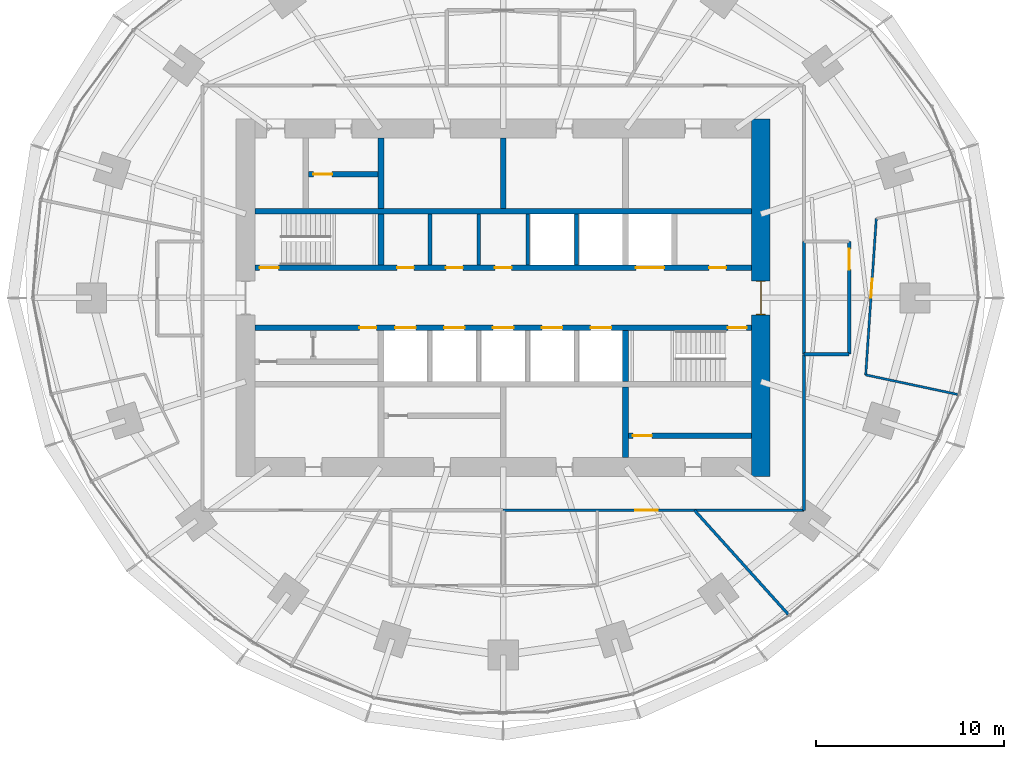
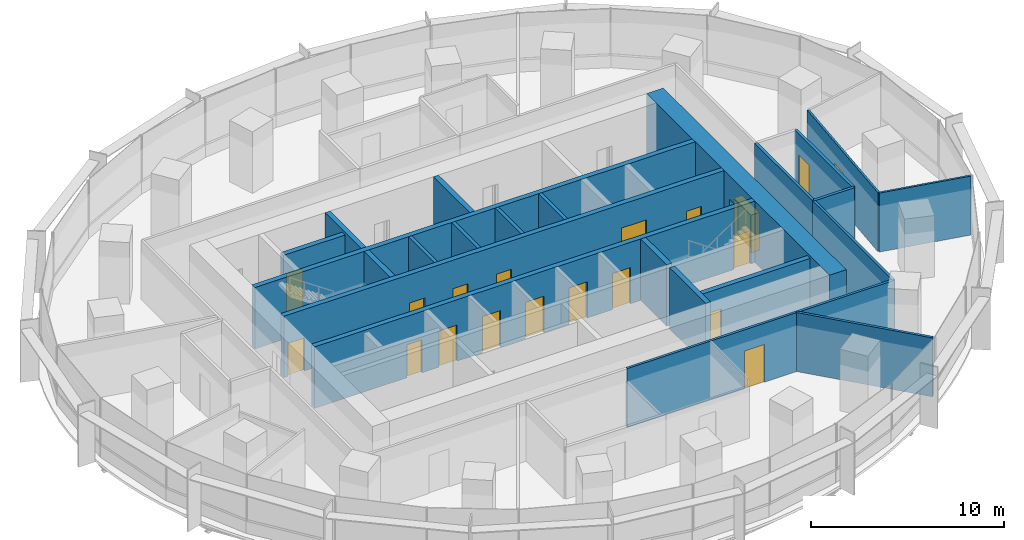
# One storey, part 11 of 14: 23 walls, 19 doors, 19 openings.
"""IFC4 building model written with IfcOpenShell, lengths in metres."""

from ifc_helpers import new_model, si_unit, direction, frame, frame_2d, origin, place, context, subcontext, project, spatial, rectangle, extrude, material, layer, layer_set, type_object, element, fill, save


model = new_model("IFC4")

# Units and contexts
model_context = context("Model", 3, precision=1e-05, world=origin(), true_north=direction((0.0, 1.0)))
body_context = subcontext(model_context, "Body", "Model", "MODEL_VIEW")
ifc_project = project(units=[si_unit("LENGTHUNIT", "METRE"), si_unit("AREAUNIT", "SQUARE_METRE"), si_unit("VOLUMEUNIT", "CUBIC_METRE"), si_unit("PLANEANGLEUNIT", "RADIAN"), si_unit("MASSUNIT", "GRAM", prefix="KILO")], contexts=[model_context])

# Site, building, storey
site_placement = place(None, origin())
site = spatial("IfcSite", under=ifc_project, at=site_placement, CompositionType="ELEMENT")
building_placement = place(site_placement, origin())
building = spatial("IfcBuilding", under=site, at=building_placement, Name="Marramba Exchange Tower", CompositionType="ELEMENT")
storey_placement = place(building_placement, frame((0.0, 0.0, 123.60009765625)))
storey = spatial("IfcBuildingStorey", under=building, at=storey_placement, Name="L29", CompositionType="ELEMENT", Elevation=123.60009765625)

# Walls
ifc_material_1 = material(Name="Plasterboard on staggered double steel studs, acoustic insulation", Category="steel")
ifc_layer_1 = layer(ifc_material_1, 0.169921875)
ifc_layer_set_1 = layer_set([ifc_layer_1], Name="Acoustic partition 170")
wall_type_1 = type_object("IfcWallType", Name="Acoustic partition 170", PredefinedType="PARTITIONING", material=ifc_layer_set_1)
wall_1_placement = place(storey_placement, frame((16.0, -3.0, 0.0), z_axis=(0.0, 0.0, 1.0), x_axis=(1.0, 0.0, 0.0)))
element("IfcWall", 1, at=wall_1_placement, inside=storey, type_object=wall_type_1, Name="Acoustic partition L29 18", PredefinedType="PARTITIONING", context=body_context, shape_type="SweptSolid", body=[
    extrude(rectangle(XDim=2.39990234375, YDim=0.169921875, at=frame_2d((1.199951171875, 0.0))), origin(), (0.0, 0.0, 1.0), 3.739990234375),
])
wall_2_placement = place(storey_placement, frame((16.0, 3.0, 0.0), z_axis=(0.0, 0.0, 1.0), x_axis=(0.0, -1.0, 0.0)))
element("IfcWall", 2, at=wall_2_placement, inside=storey, type_object=wall_type_1, Name="Acoustic partition L29 19", PredefinedType="PARTITIONING", context=body_context, shape_type="SweptSolid", body=[
    extrude(rectangle(XDim=6.0, YDim=0.169921875, at=frame_2d((3.0, 0.0))), origin(), (0.0, 0.0, 1.0), 3.739990234375),
])

# Wall, opening, door
wall_3_placement = place(storey_placement, frame((18.39990234375, -3.0, 0.0), z_axis=(0.0, 0.0, 1.0), x_axis=(0.0, 1.0, 0.0)))
wall_3 = element("IfcWall", 3, at=wall_3_placement, inside=storey, type_object=wall_type_1, Name="Acoustic partition L29 20", PredefinedType="PARTITIONING", context=body_context, shape_type="SweptSolid", body=[
    extrude(rectangle(XDim=6.0, YDim=0.169921875, at=frame_2d((3.0, 0.0))), origin(), (0.0, 0.0, 1.0), 3.739990234375),
])
opening_1_placement = place(wall_3_placement, frame((4.5, 0.0, 0.0)))
opening_1 = element("IfcOpeningElement", 4, at=opening_1_placement, cuts=wall_3, Name="Opening D15", PredefinedType="OPENING", context=body_context, shape_type="SweptSolid", body=[
    extrude(rectangle(XDim=1.10009765625, YDim=2.39990234375, at=frame_2d((0.550048828125, 1.199951171875))), frame((0.0, 0.094970703125, 0.0), z_axis=(0.0, -1.0, 0.0), x_axis=(1.0, 0.0, 0.0)), (0.0, 0.0, 1.0), 0.18994140625),
])
ifc_material_2 = material(Name="Timber door", Category="wood")
door_type_1 = type_object("IfcDoorType", Name="Glazed meeting room door 1100x2400", OperationType="SINGLE_SWING_LEFT", PredefinedType="DOOR", material=ifc_material_2)
door_1_placement = place(opening_1_placement, origin())
door_1 = element("IfcDoor", 5, at=door_1_placement, inside=storey, type_object=door_type_1, Name="D15 Meeting Room 1 L29", OperationType="SINGLE_SWING_RIGHT", OverallHeight=2.39990234375, OverallWidth=1.10009765625, PredefinedType="DOOR", context=body_context, shape_type="SweptSolid", body=[
    extrude(rectangle(XDim=1.10009765625, YDim=2.39990234375, at=frame_2d((0.550048828125, 1.199951171875))), frame((0.0, 0.02490234375, 0.0), z_axis=(0.0, -1.0, 0.0), x_axis=(1.0, 0.0, 0.0)), (0.0, 0.0, 1.0), 0.050048828125),
])
fill(opening_1, door_1)

# Walls
ifc_material_3 = material(Name="Concrete N50", Category="concrete")
ifc_layer_2 = layer(ifc_material_3, 0.199951171875)
ifc_layer_set_2 = layer_set([ifc_layer_2], Name="Core shaft wall 200")
wall_type_2 = type_object("IfcWallType", Name="Core shaft wall 200", PredefinedType="SHEAR", material=ifc_layer_set_2)
for number, where, z_axis, x_axis, name in (
    (6, (-3.89990234375, 1.75, 0.0), (0.0, 0.0, 1.0), (0.0, 1.0, 0.0), "Core wall SHN1 L29"),
    (7, (-1.300048828125, 1.75, 0.0), (0.0, 0.0, 1.0), (0.0, 1.0, 0.0), "Core wall SHN2 L29"),
    (8, (1.300048828125, 1.75, 0.0), (0.0, 0.0, 1.0), (0.0, 1.0, 0.0), "Core wall SHN3 L29"),
    (9, (3.89990234375, 1.75, 0.0), (0.0, 0.0, 1.0), (0.0, 1.0, 0.0), "Core wall SHN4 L29"),
):
    element("IfcWall", number, at=place(storey_placement, frame(where, z_axis=z_axis, x_axis=x_axis)), inside=storey, type_object=wall_type_2, Name=name, PredefinedType="SHEAR", context=body_context, shape_type="SweptSolid", body=[
        extrude(rectangle(XDim=2.699951171875, YDim=0.199951171875, at=frame_2d((1.35009765625, 0.0))), origin(), (0.0, 0.0, 1.0), 3.89990234375),
    ])

# Wall, opening, door
ifc_layer_3 = layer(ifc_material_3, 1.0)
ifc_layer_set_3 = layer_set([ifc_layer_3], Name="Core wall 1000")
wall_type_3 = type_object("IfcWallType", Name="Core wall 1000", PredefinedType="SHEAR", material=ifc_layer_set_3)
wall_4_placement = place(storey_placement, frame((13.699951171875, -9.5, 0.0), z_axis=(0.0, 0.0, 1.0), x_axis=(0.0, 1.0, 0.0)))
wall_4 = element("IfcWall", 10, at=wall_4_placement, inside=storey, type_object=wall_type_3, Name="Core wall E L29", PredefinedType="SHEAR", context=body_context, shape_type="SweptSolid", body=[
    extrude(rectangle(XDim=19.0, YDim=1.0, at=frame_2d((9.5, 0.0))), origin(), (0.0, 0.0, 1.0), 3.89990234375),
])
opening_2_placement = place(wall_4_placement, frame((8.60009765625, 0.0, 0.0)))
opening_2 = element("IfcOpeningElement", 11, at=opening_2_placement, cuts=wall_4, Name="Opening D1", PredefinedType="OPENING", context=body_context, shape_type="SweptSolid", body=[
    extrude(rectangle(XDim=1.800048828125, YDim=2.39990234375, at=frame_2d((0.89990234375, 1.199951171875))), frame((0.0, 0.510009765625, 0.0), z_axis=(0.0, -1.0, 0.0), x_axis=(1.0, 0.0, 0.0)), (0.0, 0.0, 1.0), 1.02001953125),
])
ifc_material_4 = material(Name="Steel-framed door", Category="steel")
door_type_2 = type_object("IfcDoorType", Name="Lobby exit door 1800x2400", OperationType="DOUBLE_DOOR_SINGLE_SWING", PredefinedType="DOOR", material=ifc_material_4)
door_2_placement = place(opening_2_placement, origin())
door_2 = element("IfcDoor", 12, at=door_2_placement, inside=storey, type_object=door_type_2, Name="D1 lobby exit east L29", OperationType="DOUBLE_DOOR_SINGLE_SWING", OverallHeight=2.39990234375, OverallWidth=1.800048828125, PredefinedType="DOOR", context=body_context, shape_type="SweptSolid", body=[
    extrude(rectangle(XDim=1.719970703125, YDim=2.35986328125, at=frame_2d((0.89990234375, 1.179931640625))), frame((0.0, 0.02490234375, 0.0), z_axis=(0.0, -1.0, 0.0), x_axis=(1.0, 0.0, 0.0)), (0.0, 0.0, 1.0), 0.050048828125),
    extrude(rectangle(XDim=0.04, YDim=2.39990234375, at=frame_2d((0.02001953125, 1.199951171875))), frame((0.0, 0.25, 0.0), z_axis=(0.0, -1.0, 0.0), x_axis=(1.0, 0.0, 0.0)), (0.0, 0.0, 1.0), 0.5),
    extrude(rectangle(XDim=0.04, YDim=2.39990234375, at=frame_2d((1.780029296875, 1.199951171875))), frame((0.0, 0.25, 0.0), z_axis=(0.0, -1.0, 0.0), x_axis=(1.0, 0.0, 0.0)), (0.0, 0.0, 1.0), 0.5),
    extrude(rectangle(XDim=1.719970703125, YDim=0.04, at=frame_2d((0.89990234375, 2.3798828125))), frame((0.0, 0.25, 0.0), z_axis=(0.0, -1.0, 0.0), x_axis=(1.0, 0.0, 0.0)), (0.0, 0.0, 1.0), 0.5),
])
fill(opening_2, door_2)

# Wall, openings, doors
ifc_layer_4 = layer(ifc_material_3, 0.300048828125)
ifc_layer_set_4 = layer_set([ifc_layer_4], Name="Core wall 300")
wall_type_4 = type_object("IfcWallType", Name="Core wall 300", PredefinedType="SHEAR", material=ifc_layer_set_4)
wall_5_placement = place(storey_placement, frame((-13.199951171875, 1.60009765625, 0.0), z_axis=(0.0, 0.0, 1.0), x_axis=(1.0, 0.0, 0.0)))
wall_5 = element("IfcWall", 13, at=wall_5_placement, inside=storey, type_object=wall_type_4, Name="Core wall LN L29", PredefinedType="SHEAR", context=body_context, shape_type="SweptSolid", body=[
    extrude(rectangle(XDim=26.39990234375, YDim=0.300048828125, at=frame_2d((13.199951171875, 0.0))), origin(), (0.0, 0.0, 1.0), 3.89990234375),
])
opening_3_placement = place(wall_5_placement, frame((0.25, 0.0, 0.0)))
opening_3 = element("IfcOpeningElement", 14, at=opening_3_placement, cuts=wall_5, Name="Opening D2", PredefinedType="OPENING", context=body_context, shape_type="SweptSolid", body=[
    extrude(rectangle(XDim=1.0, YDim=2.10009765625, at=frame_2d((0.5, 1.050048828125))), frame((0.0, 0.159912109375, 0.0), z_axis=(0.0, -1.0, 0.0), x_axis=(1.0, 0.0, 0.0)), (0.0, 0.0, 1.0), 0.320068359375),
])
opening_4_placement = place(wall_5_placement, frame((20.25, 0.0, 0.0)))
opening_4 = element("IfcOpeningElement", 15, at=opening_4_placement, cuts=wall_5, Name="Opening LD3", PredefinedType="OPENING", context=body_context, shape_type="SweptSolid", body=[
    extrude(rectangle(XDim=1.5, YDim=2.39990234375, at=frame_2d((0.75, 1.199951171875))), frame((0.0, 0.159912109375, 0.0), z_axis=(0.0, -1.0, 0.0), x_axis=(1.0, 0.0, 0.0)), (0.0, 0.0, 1.0), 0.320068359375),
])
opening_5_placement = place(wall_5_placement, frame((7.550048828125, 0.0, 0.0)))
opening_5 = element("IfcOpeningElement", 16, at=opening_5_placement, cuts=wall_5, Name="Opening D5", PredefinedType="OPENING", context=body_context, shape_type="SweptSolid", body=[
    extrude(rectangle(XDim=0.89990234375, YDim=2.10009765625, at=frame_2d((0.449951171875, 1.050048828125))), frame((0.0, 0.159912109375, 0.0), z_axis=(0.0, -1.0, 0.0), x_axis=(1.0, 0.0, 0.0)), (0.0, 0.0, 1.0), 0.320068359375),
])
opening_6_placement = place(wall_5_placement, frame((10.14990234375, 0.0, 0.0)))
opening_6 = element("IfcOpeningElement", 17, at=opening_6_placement, cuts=wall_5, Name="Opening D5", PredefinedType="OPENING", context=body_context, shape_type="SweptSolid", body=[
    extrude(rectangle(XDim=0.89990234375, YDim=2.10009765625, at=frame_2d((0.449951171875, 1.050048828125))), frame((0.0, 0.159912109375, 0.0), z_axis=(0.0, -1.0, 0.0), x_axis=(1.0, 0.0, 0.0)), (0.0, 0.0, 1.0), 0.320068359375),
])
opening_7_placement = place(wall_5_placement, frame((12.75, 0.0, 0.0)))
opening_7 = element("IfcOpeningElement", 18, at=opening_7_placement, cuts=wall_5, Name="Opening D5", PredefinedType="OPENING", context=body_context, shape_type="SweptSolid", body=[
    extrude(rectangle(XDim=0.89990234375, YDim=2.10009765625, at=frame_2d((0.449951171875, 1.050048828125))), frame((0.0, 0.159912109375, 0.0), z_axis=(0.0, -1.0, 0.0), x_axis=(1.0, 0.0, 0.0)), (0.0, 0.0, 1.0), 0.320068359375),
])
opening_8_placement = place(wall_5_placement, frame((24.14990234375, 0.0, 0.0)))
opening_8 = element("IfcOpeningElement", 19, at=opening_8_placement, cuts=wall_5, Name="Opening D5", PredefinedType="OPENING", context=body_context, shape_type="SweptSolid", body=[
    extrude(rectangle(XDim=0.89990234375, YDim=2.10009765625, at=frame_2d((0.449951171875, 1.050048828125))), frame((0.0, 0.159912109375, 0.0), z_axis=(0.0, -1.0, 0.0), x_axis=(1.0, 0.0, 0.0)), (0.0, 0.0, 1.0), 0.320068359375),
])
door_type_3 = type_object("IfcDoorType", Name="Goods lift landing door 1500x2400", OperationType="SLIDING_TO_LEFT", PredefinedType="DOOR", material=ifc_material_4)
door_3_placement = place(opening_4_placement, origin())
door_3 = element("IfcDoor", 20, at=door_3_placement, inside=storey, type_object=door_type_3, Name="GL1 landing door L29", OperationType="SLIDING_TO_LEFT", OverallHeight=2.39990234375, OverallWidth=1.5, PredefinedType="DOOR", context=body_context, shape_type="SweptSolid", body=[
    extrude(rectangle(XDim=1.5, YDim=2.39990234375, at=frame_2d((0.75, 1.199951171875))), frame((0.0, 0.02490234375, 0.0), z_axis=(0.0, -1.0, 0.0), x_axis=(1.0, 0.0, 0.0)), (0.0, 0.0, 1.0), 0.050048828125),
])
fill(opening_4, door_3)
door_type_4 = type_object("IfcDoorType", Name="Service door 900x2100", OperationType="SINGLE_SWING_LEFT", PredefinedType="DOOR", material=ifc_material_4)
door_4_placement = place(opening_5_placement, origin())
door_4 = element("IfcDoor", 21, at=door_4_placement, inside=storey, type_object=door_type_4, Name="D5 store L29", OperationType="SINGLE_SWING_RIGHT", OverallHeight=2.10009765625, OverallWidth=0.89990234375, PredefinedType="DOOR", context=body_context, shape_type="SweptSolid", body=[
    extrude(rectangle(XDim=0.89990234375, YDim=2.10009765625, at=frame_2d((0.449951171875, 1.050048828125))), frame((0.0, 0.02490234375, 0.0), z_axis=(0.0, -1.0, 0.0), x_axis=(1.0, 0.0, 0.0)), (0.0, 0.0, 1.0), 0.050048828125),
])
fill(opening_5, door_4)
door_5_placement = place(opening_6_placement, origin())
door_5 = element("IfcDoor", 22, at=door_5_placement, inside=storey, type_object=door_type_4, Name="D5 stationery store L29", OperationType="SINGLE_SWING_RIGHT", OverallHeight=2.10009765625, OverallWidth=0.89990234375, PredefinedType="DOOR", context=body_context, shape_type="SweptSolid", body=[
    extrude(rectangle(XDim=0.89990234375, YDim=2.10009765625, at=frame_2d((0.449951171875, 1.050048828125))), frame((0.0, 0.02490234375, 0.0), z_axis=(0.0, -1.0, 0.0), x_axis=(1.0, 0.0, 0.0)), (0.0, 0.0, 1.0), 0.050048828125),
])
fill(opening_6, door_5)
door_6_placement = place(opening_7_placement, origin())
door_6 = element("IfcDoor", 23, at=door_6_placement, inside=storey, type_object=door_type_4, Name="D5 switch room L29", OperationType="SINGLE_SWING_RIGHT", OverallHeight=2.10009765625, OverallWidth=0.89990234375, PredefinedType="DOOR", context=body_context, shape_type="SweptSolid", body=[
    extrude(rectangle(XDim=0.89990234375, YDim=2.10009765625, at=frame_2d((0.449951171875, 1.050048828125))), frame((0.0, 0.02490234375, 0.0), z_axis=(0.0, -1.0, 0.0), x_axis=(1.0, 0.0, 0.0)), (0.0, 0.0, 1.0), 0.050048828125),
])
fill(opening_7, door_6)
door_7_placement = place(opening_8_placement, origin())
door_7 = element("IfcDoor", 24, at=door_7_placement, inside=storey, type_object=door_type_4, Name="D5 riser L29", OperationType="SINGLE_SWING_RIGHT", OverallHeight=2.10009765625, OverallWidth=0.89990234375, PredefinedType="DOOR", context=body_context, shape_type="SweptSolid", body=[
    extrude(rectangle(XDim=0.89990234375, YDim=2.10009765625, at=frame_2d((0.449951171875, 1.050048828125))), frame((0.0, 0.02490234375, 0.0), z_axis=(0.0, -1.0, 0.0), x_axis=(1.0, 0.0, 0.0)), (0.0, 0.0, 1.0), 0.050048828125),
])
fill(opening_8, door_7)
door_type_5 = type_object("IfcDoorType", Name="Stair door 1000x2100", OperationType="SINGLE_SWING_LEFT", PredefinedType="DOOR", material=ifc_material_4)
door_8_placement = place(opening_3_placement, origin())
door_8 = element("IfcDoor", 25, at=door_8_placement, inside=storey, type_object=door_type_5, Name="D2 stair ST1 L29", OperationType="SINGLE_SWING_LEFT", OverallHeight=2.10009765625, OverallWidth=1.0, PredefinedType="DOOR", context=body_context, shape_type="SweptSolid", body=[
    extrude(rectangle(XDim=1.0, YDim=2.10009765625, at=frame_2d((0.5, 1.050048828125))), frame((0.0, 0.02490234375, 0.0), z_axis=(0.0, -1.0, 0.0), x_axis=(1.0, 0.0, 0.0)), (0.0, 0.0, 1.0), 0.050048828125),
])
fill(opening_3, door_8)

wall_6_placement = place(storey_placement, frame((-13.199951171875, -1.60009765625, 0.0), z_axis=(0.0, 0.0, 1.0), x_axis=(1.0, 0.0, 0.0)))
wall_6 = element("IfcWall", 26, at=wall_6_placement, inside=storey, type_object=wall_type_4, Name="Core wall LS L29", PredefinedType="SHEAR", context=body_context, shape_type="SweptSolid", body=[
    extrude(rectangle(XDim=26.39990234375, YDim=0.300048828125, at=frame_2d((13.199951171875, 0.0))), origin(), (0.0, 0.0, 1.0), 3.89990234375),
])
opening_9_placement = place(wall_6_placement, frame((25.14990234375, 0.0, 0.0)))
opening_9 = element("IfcOpeningElement", 27, at=opening_9_placement, cuts=wall_6, Name="Opening D2", PredefinedType="OPENING", context=body_context, shape_type="SweptSolid", body=[
    extrude(rectangle(XDim=1.0, YDim=2.10009765625, at=frame_2d((0.5, 1.050048828125))), frame((0.0, 0.159912109375, 0.0), z_axis=(0.0, -1.0, 0.0), x_axis=(1.0, 0.0, 0.0)), (0.0, 0.0, 1.0), 0.320068359375),
])
opening_10_placement = place(wall_6_placement, frame((7.449951171875, 0.0, 0.0)))
opening_10 = element("IfcOpeningElement", 28, at=opening_10_placement, cuts=wall_6, Name="Opening LD1", PredefinedType="OPENING", context=body_context, shape_type="SweptSolid", body=[
    extrude(rectangle(XDim=1.10009765625, YDim=2.300048828125, at=frame_2d((0.550048828125, 1.14990234375))), frame((0.0, 0.159912109375, 0.0), z_axis=(0.0, -1.0, 0.0), x_axis=(1.0, 0.0, 0.0)), (0.0, 0.0, 1.0), 0.320068359375),
])
opening_11_placement = place(wall_6_placement, frame((10.050048828125, 0.0, 0.0)))
opening_11 = element("IfcOpeningElement", 29, at=opening_11_placement, cuts=wall_6, Name="Opening LD1", PredefinedType="OPENING", context=body_context, shape_type="SweptSolid", body=[
    extrude(rectangle(XDim=1.10009765625, YDim=2.300048828125, at=frame_2d((0.550048828125, 1.14990234375))), frame((0.0, 0.159912109375, 0.0), z_axis=(0.0, -1.0, 0.0), x_axis=(1.0, 0.0, 0.0)), (0.0, 0.0, 1.0), 0.320068359375),
])
opening_12_placement = place(wall_6_placement, frame((12.64990234375, 0.0, 0.0)))
opening_12 = element("IfcOpeningElement", 30, at=opening_12_placement, cuts=wall_6, Name="Opening LD1", PredefinedType="OPENING", context=body_context, shape_type="SweptSolid", body=[
    extrude(rectangle(XDim=1.10009765625, YDim=2.300048828125, at=frame_2d((0.550048828125, 1.14990234375))), frame((0.0, 0.159912109375, 0.0), z_axis=(0.0, -1.0, 0.0), x_axis=(1.0, 0.0, 0.0)), (0.0, 0.0, 1.0), 0.320068359375),
])
opening_13_placement = place(wall_6_placement, frame((15.25, 0.0, 0.0)))
opening_13 = element("IfcOpeningElement", 31, at=opening_13_placement, cuts=wall_6, Name="Opening LD2", PredefinedType="OPENING", context=body_context, shape_type="SweptSolid", body=[
    extrude(rectangle(XDim=1.10009765625, YDim=2.300048828125, at=frame_2d((0.550048828125, 1.14990234375))), frame((0.0, 0.159912109375, 0.0), z_axis=(0.0, -1.0, 0.0), x_axis=(1.0, 0.0, 0.0)), (0.0, 0.0, 1.0), 0.320068359375),
])
opening_14_placement = place(wall_6_placement, frame((17.85009765625, 0.0, 0.0)))
opening_14 = element("IfcOpeningElement", 32, at=opening_14_placement, cuts=wall_6, Name="Opening LD2", PredefinedType="OPENING", context=body_context, shape_type="SweptSolid", body=[
    extrude(rectangle(XDim=1.10009765625, YDim=2.300048828125, at=frame_2d((0.550048828125, 1.14990234375))), frame((0.0, 0.159912109375, 0.0), z_axis=(0.0, -1.0, 0.0), x_axis=(1.0, 0.0, 0.0)), (0.0, 0.0, 1.0), 0.320068359375),
])
opening_15_placement = place(wall_6_placement, frame((5.550048828125, 0.0, 0.0)))
opening_15 = element("IfcOpeningElement", 33, at=opening_15_placement, cuts=wall_6, Name="Opening D5", PredefinedType="OPENING", context=body_context, shape_type="SweptSolid", body=[
    extrude(rectangle(XDim=0.89990234375, YDim=2.10009765625, at=frame_2d((0.449951171875, 1.050048828125))), frame((0.0, 0.159912109375, 0.0), z_axis=(0.0, -1.0, 0.0), x_axis=(1.0, 0.0, 0.0)), (0.0, 0.0, 1.0), 0.320068359375),
])
door_type_6 = type_object("IfcDoorType", Name="Emergency lift landing door 1100x2300", OperationType="SLIDING_TO_LEFT", PredefinedType="DOOR", material=ifc_material_4)
door_9_placement = place(opening_13_placement, frame((1.10009765625, 0.0, 0.0), z_axis=(0.0, 0.0, 1.0), x_axis=(-1.0, 0.0, 0.0)))
door_9 = element("IfcDoor", 34, at=door_9_placement, inside=storey, type_object=door_type_6, Name="FL1 landing door L29", OperationType="SLIDING_TO_RIGHT", OverallHeight=2.300048828125, OverallWidth=1.10009765625, PredefinedType="DOOR", context=body_context, shape_type="SweptSolid", body=[
    extrude(rectangle(XDim=1.10009765625, YDim=2.300048828125, at=frame_2d((0.550048828125, 1.14990234375))), frame((0.0, 0.025146484375, 0.0), z_axis=(0.0, -1.0, 0.0), x_axis=(1.0, 0.0, 0.0)), (0.0, 0.0, 1.0), 0.050048828125),
])
fill(opening_13, door_9)
door_10_placement = place(opening_14_placement, frame((1.10009765625, 0.0, 0.0), z_axis=(0.0, 0.0, 1.0), x_axis=(-1.0, 0.0, 0.0)))
door_10 = element("IfcDoor", 35, at=door_10_placement, inside=storey, type_object=door_type_6, Name="FL2 landing door L29", OperationType="SLIDING_TO_LEFT", OverallHeight=2.300048828125, OverallWidth=1.10009765625, PredefinedType="DOOR", context=body_context, shape_type="SweptSolid", body=[
    extrude(rectangle(XDim=1.10009765625, YDim=2.300048828125, at=frame_2d((0.550048828125, 1.14990234375))), frame((0.0, 0.025146484375, 0.0), z_axis=(0.0, -1.0, 0.0), x_axis=(1.0, 0.0, 0.0)), (0.0, 0.0, 1.0), 0.050048828125),
])
fill(opening_14, door_10)
door_type_7 = type_object("IfcDoorType", Name="Lift landing door 1100x2300", OperationType="SLIDING_TO_LEFT", PredefinedType="DOOR", material=ifc_material_4)
door_11_placement = place(opening_10_placement, frame((1.10009765625, 0.0, 0.0), z_axis=(0.0, 0.0, 1.0), x_axis=(-1.0, 0.0, 0.0)))
door_11 = element("IfcDoor", 36, at=door_11_placement, inside=storey, type_object=door_type_7, Name="LB1 landing door L29", OperationType="SLIDING_TO_LEFT", OverallHeight=2.300048828125, OverallWidth=1.10009765625, PredefinedType="DOOR", context=body_context, shape_type="SweptSolid", body=[
    extrude(rectangle(XDim=1.10009765625, YDim=2.300048828125, at=frame_2d((0.550048828125, 1.14990234375))), frame((0.0, 0.025146484375, 0.0), z_axis=(0.0, -1.0, 0.0), x_axis=(1.0, 0.0, 0.0)), (0.0, 0.0, 1.0), 0.050048828125),
])
fill(opening_10, door_11)
door_12_placement = place(opening_11_placement, frame((1.10009765625, 0.0, 0.0), z_axis=(0.0, 0.0, 1.0), x_axis=(-1.0, 0.0, 0.0)))
door_12 = element("IfcDoor", 37, at=door_12_placement, inside=storey, type_object=door_type_7, Name="LB2 landing door L29", OperationType="SLIDING_TO_RIGHT", OverallHeight=2.300048828125, OverallWidth=1.10009765625, PredefinedType="DOOR", context=body_context, shape_type="SweptSolid", body=[
    extrude(rectangle(XDim=1.10009765625, YDim=2.300048828125, at=frame_2d((0.550048828125, 1.14990234375))), frame((0.0, 0.025146484375, 0.0), z_axis=(0.0, -1.0, 0.0), x_axis=(1.0, 0.0, 0.0)), (0.0, 0.0, 1.0), 0.050048828125),
])
fill(opening_11, door_12)
door_13_placement = place(opening_12_placement, frame((1.10009765625, 0.0, 0.0), z_axis=(0.0, 0.0, 1.0), x_axis=(-1.0, 0.0, 0.0)))
door_13 = element("IfcDoor", 38, at=door_13_placement, inside=storey, type_object=door_type_7, Name="LB3 landing door L29", OperationType="SLIDING_TO_RIGHT", OverallHeight=2.300048828125, OverallWidth=1.10009765625, PredefinedType="DOOR", context=body_context, shape_type="SweptSolid", body=[
    extrude(rectangle(XDim=1.10009765625, YDim=2.300048828125, at=frame_2d((0.550048828125, 1.14990234375))), frame((0.0, 0.025146484375, 0.0), z_axis=(0.0, -1.0, 0.0), x_axis=(1.0, 0.0, 0.0)), (0.0, 0.0, 1.0), 0.050048828125),
])
fill(opening_12, door_13)
door_14_placement = place(opening_15_placement, frame((0.89990234375, 0.0, 0.0), z_axis=(0.0, 0.0, 1.0), x_axis=(-1.0, 0.0, 0.0)))
door_14 = element("IfcDoor", 39, at=door_14_placement, inside=storey, type_object=door_type_4, Name="D5 electrical riser L29", OperationType="SINGLE_SWING_LEFT", OverallHeight=2.10009765625, OverallWidth=0.89990234375, PredefinedType="DOOR", context=body_context, shape_type="SweptSolid", body=[
    extrude(rectangle(XDim=0.89990234375, YDim=2.10009765625, at=frame_2d((0.449951171875, 1.050048828125))), frame((0.0, 0.025146484375, 0.0), z_axis=(0.0, -1.0, 0.0), x_axis=(1.0, 0.0, 0.0)), (0.0, 0.0, 1.0), 0.050048828125),
])
fill(opening_15, door_14)
door_15_placement = place(opening_9_placement, frame((1.0, 0.0, 0.0), z_axis=(0.0, 0.0, 1.0), x_axis=(-1.0, 0.0, 0.0)))
door_15 = element("IfcDoor", 40, at=door_15_placement, inside=storey, type_object=door_type_5, Name="D2 stair ST2 L29", OperationType="SINGLE_SWING_LEFT", OverallHeight=2.10009765625, OverallWidth=1.0, PredefinedType="DOOR", context=body_context, shape_type="SweptSolid", body=[
    extrude(rectangle(XDim=1.0, YDim=2.10009765625, at=frame_2d((0.5, 1.050048828125))), frame((0.0, 0.025146484375, 0.0), z_axis=(0.0, -1.0, 0.0), x_axis=(1.0, 0.0, 0.0)), (0.0, 0.0, 1.0), 0.050048828125),
])
fill(opening_9, door_15)

# Walls
wall_7_placement = place(storey_placement, frame((-13.199951171875, 4.60009765625, 0.0), z_axis=(0.0, 0.0, 1.0), x_axis=(1.0, 0.0, 0.0)))
element("IfcWall", 41, at=wall_7_placement, inside=storey, type_object=wall_type_4, Name="Core wall BN L29", PredefinedType="SHEAR", context=body_context, shape_type="SweptSolid", body=[
    extrude(rectangle(XDim=26.39990234375, YDim=0.300048828125, at=frame_2d((13.199951171875, 0.0))), origin(), (0.0, 0.0, 1.0), 3.89990234375),
])
wall_8_placement = place(storey_placement, frame((-6.5, 1.75, 0.0), z_axis=(0.0, 0.0, 1.0), x_axis=(0.0, 1.0, 0.0)))
element("IfcWall", 42, at=wall_8_placement, inside=storey, type_object=wall_type_4, Name="Core wall X0Na L29", PredefinedType="SHEAR", context=body_context, shape_type="SweptSolid", body=[
    extrude(rectangle(XDim=2.699951171875, YDim=0.300048828125, at=frame_2d((1.35009765625, 0.0))), origin(), (0.0, 0.0, 1.0), 3.89990234375),
])
for number, where, z_axis, x_axis, name in (
    (43, (-6.5, 4.75, 0.0), (0.0, 0.0, 1.0), (0.0, 1.0, 0.0), "Core wall X0Nb L29"),
    (44, (0.0, 4.75, 0.0), (0.0, 0.0, 1.0), (0.0, 1.0, 0.0), "Core wall MN L29"),
):
    element("IfcWall", number, at=place(storey_placement, frame(where, z_axis=z_axis, x_axis=x_axis)), inside=storey, type_object=wall_type_4, Name=name, PredefinedType="SHEAR", context=body_context, shape_type="SweptSolid", body=[
        extrude(rectangle(XDim=3.75, YDim=0.300048828125, at=frame_2d((1.875, 0.0))), origin(), (0.0, 0.0, 1.0), 3.89990234375),
    ])
wall_9_placement = place(storey_placement, frame((6.5, -1.75, 0.0), z_axis=(0.0, 0.0, 1.0), x_axis=(0.0, -1.0, 0.0)))
element("IfcWall", 45, at=wall_9_placement, inside=storey, type_object=wall_type_4, Name="Core wall X1Sa L29", PredefinedType="SHEAR", context=body_context, shape_type="SweptSolid", body=[
    extrude(rectangle(XDim=2.699951171875, YDim=0.300048828125, at=frame_2d((1.35009765625, 0.0))), origin(), (0.0, 0.0, 1.0), 3.89990234375),
])
wall_10_placement = place(storey_placement, frame((6.5, -4.75, 0.0), z_axis=(0.0, 0.0, 1.0), x_axis=(0.0, -1.0, 0.0)))
element("IfcWall", 46, at=wall_10_placement, inside=storey, type_object=wall_type_4, Name="Core wall X1Sb L29", PredefinedType="SHEAR", context=body_context, shape_type="SweptSolid", body=[
    extrude(rectangle(XDim=3.75, YDim=0.300048828125, at=frame_2d((1.875, 0.0))), origin(), (0.0, 0.0, 1.0), 3.89990234375),
])
ifc_material_5 = material(Name="Plasterboard on steel studs", Category="steel")
ifc_layer_5 = layer(ifc_material_5, 0.1201171875)
ifc_layer_set_5 = layer_set([ifc_layer_5], Name="Partition 120")
wall_type_5 = type_object("IfcWallType", Name="Partition 120", PredefinedType="PARTITIONING", material=ifc_layer_set_5)
wall_11_placement = place(storey_placement, frame((19.277099609375, -4.097412109375, 0.0), z_axis=(0.0, 0.0, 1.0), x_axis=(0.978149046495, -0.207904888932, 0.0)))
element("IfcWall", 47, at=wall_11_placement, inside=storey, type_object=wall_type_5, Name="Partition L29 17", PredefinedType="PARTITIONING", context=body_context, shape_type="SweptSolid", body=[
    extrude(rectangle(XDim=5.000244140625, YDim=0.1201171875, at=frame_2d((2.5, 0.0))), origin(), (0.0, 0.0, 1.0), 3.739990234375),
])

# Wall, opening, door
wall_12_placement = place(storey_placement, frame((19.839599609375, 4.217041015625, 0.0), z_axis=(0.0, 0.0, 1.0), x_axis=(-0.067498983032, -0.997719342947, 0.0)))
wall_12 = element("IfcWall", 48, at=wall_12_placement, inside=storey, type_object=wall_type_5, Name="Partition L29 21", PredefinedType="PARTITIONING", context=body_context, shape_type="SweptSolid", body=[
    extrude(rectangle(XDim=8.33349609375, YDim=0.1201171875, at=frame_2d((4.166748046875, 0.0))), origin(), (0.0, 0.0, 1.0), 3.739990234375),
])
opening_16_placement = place(wall_12_placement, frame((3.214111328125, 0.0, 0.0)))
opening_16 = element("IfcOpeningElement", 49, at=opening_16_placement, cuts=wall_12, Name="Opening D9", PredefinedType="OPENING", context=body_context, shape_type="SweptSolid", body=[
    extrude(rectangle(XDim=1.0, YDim=2.39990234375, at=frame_2d((0.5, 1.199951171875))), frame((0.0, 0.070068359375, 0.0), z_axis=(0.0, -1.0, 0.0), x_axis=(1.0, 0.0, 0.0)), (0.0, 0.0, 1.0), 0.14013671875),
])
door_type_8 = type_object("IfcDoorType", Name="Room door 1000x2400", OperationType="SINGLE_SWING_LEFT", PredefinedType="DOOR", material=ifc_material_2)
door_16_placement = place(opening_16_placement, origin())
door_16 = element("IfcDoor", 50, at=door_16_placement, inside=storey, type_object=door_type_8, Name="D9 Office 1 L29", OperationType="SINGLE_SWING_LEFT", OverallHeight=2.39990234375, OverallWidth=1.0, PredefinedType="DOOR", context=body_context, shape_type="SweptSolid", body=[
    extrude(rectangle(XDim=1.0, YDim=2.39990234375, at=frame_2d((0.5, 1.199951171875))), frame((0.0, 0.02490234375, 0.0), z_axis=(0.0, -1.0, 0.0), x_axis=(1.0, 0.0, 0.0)), (0.0, 0.0, 1.0), 0.050048828125),
])
fill(opening_16, door_16)

ifc_material_6 = material(Name="Plasterboard on steel studs, insulated, unrated", Category="steel")
ifc_layer_6 = layer(ifc_material_6, 0.300048828125)
ifc_layer_set_6 = layer_set([ifc_layer_6], Name="Store partition 300")
wall_type_6 = type_object("IfcWallType", Name="Store partition 300", PredefinedType="PARTITIONING", material=ifc_layer_set_6)
wall_13_placement = place(storey_placement, frame((-10.35009765625, 6.580078125, 0.0), z_axis=(0.0, 0.0, 1.0), x_axis=(1.0, 0.0, 0.0)))
wall_13 = element("IfcWall", 51, at=wall_13_placement, inside=storey, type_object=wall_type_6, Name="Store partition L29 cleaner", PredefinedType="PARTITIONING", context=body_context, shape_type="SweptSolid", body=[
    extrude(rectangle(XDim=3.7001953125, YDim=0.300048828125, at=frame_2d((1.85009765625, 0.0))), origin(), (0.0, 0.0, 1.0), 3.739990234375),
])
opening_17_placement = place(wall_13_placement, frame((0.25, 0.0, 0.0)))
opening_17 = element("IfcOpeningElement", 52, at=opening_17_placement, cuts=wall_13, Name="Opening D9", PredefinedType="OPENING", context=body_context, shape_type="SweptSolid", body=[
    extrude(rectangle(XDim=1.0, YDim=2.39990234375, at=frame_2d((0.5, 1.199951171875))), frame((0.0, 0.159912109375, 0.0), z_axis=(0.0, -1.0, 0.0), x_axis=(1.0, 0.0, 0.0)), (0.0, 0.0, 1.0), 0.320068359375),
])
door_17_placement = place(opening_17_placement, frame((1.0, 0.0, 0.0), z_axis=(0.0, 0.0, 1.0), x_axis=(-1.0, 0.0, 0.0)))
door_17 = element("IfcDoor", 53, at=door_17_placement, inside=storey, type_object=door_type_8, Name="D9 cleaning store L29", OperationType="SINGLE_SWING_RIGHT", OverallHeight=2.39990234375, OverallWidth=1.0, PredefinedType="DOOR", context=body_context, shape_type="SweptSolid", body=[
    extrude(rectangle(XDim=1.0, YDim=2.39990234375, at=frame_2d((0.5, 1.199951171875))), frame((0.0, 0.025146484375, 0.0), z_axis=(0.0, -1.0, 0.0), x_axis=(1.0, 0.0, 0.0)), (0.0, 0.0, 1.0), 0.050048828125),
])
fill(opening_17, door_17)

wall_14_placement = place(storey_placement, frame((6.64990234375, -7.327880859375, 0.0), z_axis=(0.0, 0.0, 1.0), x_axis=(1.0, 0.0, 0.0)))
wall_14 = element("IfcWall", 54, at=wall_14_placement, inside=storey, type_object=wall_type_6, Name="Store partition L29 cstore", PredefinedType="PARTITIONING", context=body_context, shape_type="SweptSolid", body=[
    extrude(rectangle(XDim=6.550048828125, YDim=0.300048828125, at=frame_2d((3.27490234375, 0.0))), origin(), (0.0, 0.0, 1.0), 3.739990234375),
])
opening_18_placement = place(wall_14_placement, frame((0.25, 0.0, 0.0)))
opening_18 = element("IfcOpeningElement", 55, at=opening_18_placement, cuts=wall_14, Name="Opening D9", PredefinedType="OPENING", context=body_context, shape_type="SweptSolid", body=[
    extrude(rectangle(XDim=1.0, YDim=2.39990234375, at=frame_2d((0.5, 1.199951171875))), frame((0.0, 0.159912109375, 0.0), z_axis=(0.0, -1.0, 0.0), x_axis=(1.0, 0.0, 0.0)), (0.0, 0.0, 1.0), 0.320068359375),
])
door_18_placement = place(opening_18_placement, frame((1.0, 0.0, 0.0), z_axis=(0.0, 0.0, 1.0), x_axis=(-1.0, 0.0, 0.0)))
door_18 = element("IfcDoor", 56, at=door_18_placement, inside=storey, type_object=door_type_8, Name="D9 general store L29", OperationType="SINGLE_SWING_RIGHT", OverallHeight=2.39990234375, OverallWidth=1.0, PredefinedType="DOOR", context=body_context, shape_type="SweptSolid", body=[
    extrude(rectangle(XDim=1.0, YDim=2.39990234375, at=frame_2d((0.5, 1.199951171875))), frame((0.0, 0.025146484375, 0.0), z_axis=(0.0, -1.0, 0.0), x_axis=(1.0, 0.0, 0.0)), (0.0, 0.0, 1.0), 0.050048828125),
])
fill(opening_18, door_18)

ifc_material_7 = material(Name="Fire-rated plasterboard on steel studs, acoustic insulation", Category="steel")
ifc_layer_7 = layer(ifc_material_7, 0.14990234375)
ifc_layer_set_7 = layer_set([ifc_layer_7], Name="Tenancy wall 150")
wall_type_7 = type_object("IfcWallType", Name="Tenancy wall 150", PredefinedType="PARTITIONING", material=ifc_layer_set_7)
wall_15_placement = place(storey_placement, frame((0.0, -11.300048828125, 0.0), z_axis=(0.0, 0.0, 1.0), x_axis=(1.0, 0.0, 0.0)))
wall_15 = element("IfcWall", 57, at=wall_15_placement, inside=storey, type_object=wall_type_7, Name="Tenancy wall L29 14", PredefinedType="PARTITIONING", context=body_context, shape_type="SweptSolid", body=[
    extrude(rectangle(XDim=16.0, YDim=0.14990234375, at=frame_2d((8.0, 0.0))), origin(), (0.0, 0.0, 1.0), 3.739990234375),
])
opening_19_placement = place(wall_15_placement, frame((7.011962890625, 0.0, 0.0)))
opening_19 = element("IfcOpeningElement", 58, at=opening_19_placement, cuts=wall_15, Name="Opening D13", PredefinedType="OPENING", context=body_context, shape_type="SweptSolid", body=[
    extrude(rectangle(XDim=1.199951171875, YDim=2.39990234375, at=frame_2d((0.60009765625, 1.199951171875))), frame((0.0, 0.0849609375, 0.0), z_axis=(0.0, -1.0, 0.0), x_axis=(1.0, 0.0, 0.0)), (0.0, 0.0, 1.0), 0.169921875),
])
door_type_9 = type_object("IfcDoorType", Name="Tenancy entry door 1200x2400", OperationType="SINGLE_SWING_LEFT", PredefinedType="DOOR", material=ifc_material_4)
door_19_placement = place(opening_19_placement, origin())
door_19 = element("IfcDoor", 59, at=door_19_placement, inside=storey, type_object=door_type_9, Name="D13 Office 4 L29", OperationType="SINGLE_SWING_RIGHT", OverallHeight=2.39990234375, OverallWidth=1.199951171875, PredefinedType="DOOR", context=body_context, shape_type="SweptSolid", body=[
    extrude(rectangle(XDim=1.199951171875, YDim=2.39990234375, at=frame_2d((0.60009765625, 1.199951171875))), frame((0.0, 0.02490234375, 0.0), z_axis=(0.0, -1.0, 0.0), x_axis=(1.0, 0.0, 0.0)), (0.0, 0.0, 1.0), 0.050048828125),
])
fill(opening_19, door_19)

# Walls
wall_16_placement = place(storey_placement, frame((15.156005859375, -16.83251953125, 0.0), z_axis=(0.0, 0.0, 1.0), x_axis=(-0.669129591277, 0.74314573946, 0.0)))
element("IfcWall", 60, at=wall_16_placement, inside=storey, type_object=wall_type_7, Name="Tenancy wall L29 15", PredefinedType="PARTITIONING", context=body_context, shape_type="SweptSolid", body=[
    extrude(rectangle(XDim=7.444580078125, YDim=0.14990234375, at=frame_2d((3.72216796875, 0.0))), origin(), (0.0, 0.0, 1.0), 3.739990234375),
])
wall_17_placement = place(storey_placement, frame((16.0, -11.300048828125, 0.0), z_axis=(0.0, 0.0, 1.0), x_axis=(0.0, 1.0, 0.0)))
element("IfcWall", 61, at=wall_17_placement, inside=storey, type_object=wall_type_7, Name="Tenancy wall L29 16", PredefinedType="PARTITIONING", context=body_context, shape_type="SweptSolid", body=[
    extrude(rectangle(XDim=8.300048828125, YDim=0.14990234375, at=frame_2d((4.14990234375, 0.0))), origin(), (0.0, 0.0, 1.0), 3.739990234375),
])

save(model, "model.ifc")
